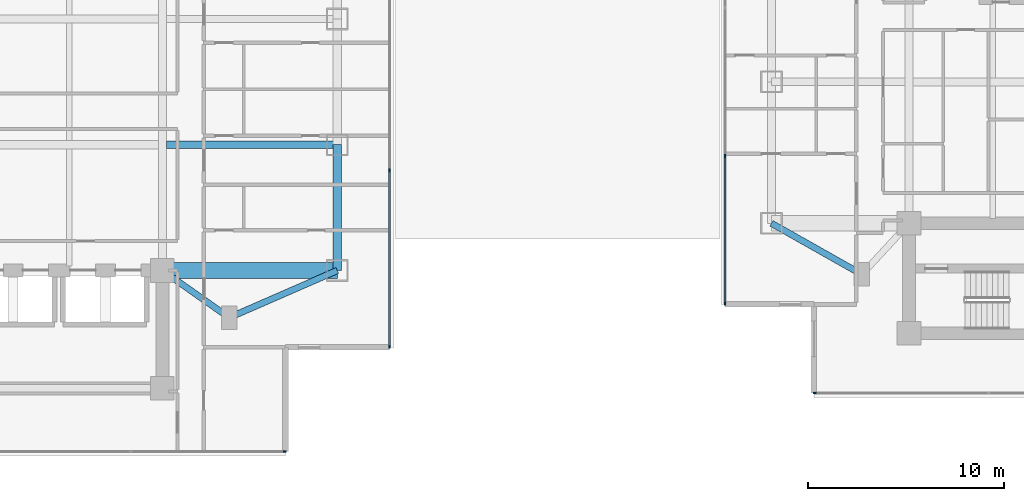
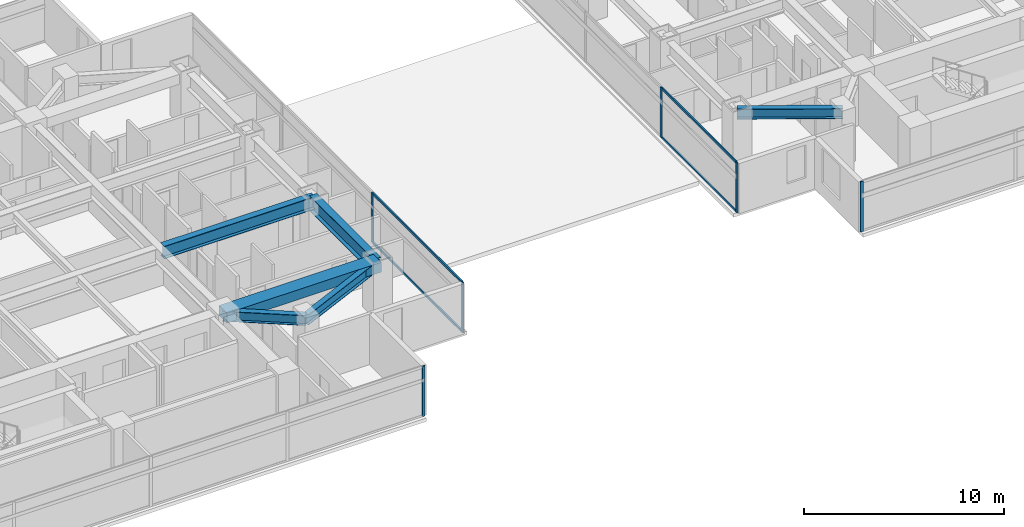
# One storey, part 4 of 26: 10 members, 6 beams, 4 elements without a shape of their own.
"""IFC4 building model written with IfcOpenShell, lengths in metres."""

from ifc_helpers import new_model, si_unit, direction, frame, origin, origin_2d, place, context, subcontext, project, spatial, rectangle, i_section, extrude, material, material_profile, profile_set, type_object, element, aggregate, save


model = new_model("IFC4")

# Units and contexts
model_context = context("Model", 3, precision=1e-05, world=origin(), true_north=direction((0.0, 1.0)))
body_context = subcontext(model_context, "Body", "Model", "MODEL_VIEW")
ifc_project = project(units=[si_unit("LENGTHUNIT", "METRE"), si_unit("AREAUNIT", "SQUARE_METRE"), si_unit("VOLUMEUNIT", "CUBIC_METRE"), si_unit("PLANEANGLEUNIT", "RADIAN"), si_unit("MASSUNIT", "GRAM", prefix="KILO")], contexts=[model_context])

# Site, building, storey
site_placement = place(None, origin())
site = spatial("IfcSite", under=ifc_project, at=site_placement, CompositionType="ELEMENT")
building_placement = place(site_placement, origin())
building = spatial("IfcBuilding", under=site, at=building_placement, Name="Mirazonda Arch Towers", CompositionType="ELEMENT")
storey_placement = place(building_placement, frame((0.0, 0.0, 98.300048828125)))
storey = spatial("IfcBuildingStorey", under=building, at=storey_placement, Name="L27", CompositionType="ELEMENT", Elevation=98.300048828125)

# Beams
ifc_material_1 = material(Name="Steel ASTM A992 Grade 50", Category="steel")
ifc_material_profile_1 = material_profile(ifc_material_1, i_section(OverallWidth=0.41796875, OverallDepth=0.927001953125, WebThickness=0.019287109375, FlangeThickness=0.031982421875, at=origin_2d()), Name="W36X231")
ifc_profile_set_1 = profile_set([ifc_material_profile_1], Name="Steel ASTM A992 Grade 50")
beam_type_1 = type_object("IfcBeamType", Name="BM-EXT-W36X231", PredefinedType="USERDEFINED", material=ifc_profile_set_1)
beam_1_placement = place(storey_placement, frame((38.89990234375, 18.39990234375, 2.616455078125), z_axis=(0.0, 1.0, 0.0), x_axis=(-1.0, 0.0, 0.0)))
element("IfcBeam", 1, at=beam_1_placement, inside=storey, type_object=beam_type_1, Name="L27 Floor Beam BM-T1-L27-NS-E-18", ObjectType="GIRDER", PredefinedType="USERDEFINED", context=body_context, shape_type="SweptSolid", body=[
    extrude(i_section(OverallWidth=0.41796875, OverallDepth=0.927001953125, WebThickness=0.019287109375, FlangeThickness=0.031982421875, at=origin_2d()), origin(), (0.0, 0.0, 1.0), 6.400146484375),
])
ifc_material_profile_2 = material_profile(ifc_material_1, i_section(OverallWidth=0.324951171875, OverallDepth=0.615966796875, WebThickness=0.013916015625, FlangeThickness=0.021484375, at=origin_2d()), Name="W24X117")
ifc_profile_set_2 = profile_set([ifc_material_profile_2], Name="Steel ASTM A992 Grade 50")
beam_type_2 = type_object("IfcBeamType", Name="BM-INT-W24X117", PredefinedType="BEAM", material=ifc_profile_set_2)
beam_2_placement = place(storey_placement, frame((33.39990234375, 16.0, 2.77197265625), z_axis=(-0.816971114901, 0.576678591087, 0.0), x_axis=(-0.576678591087, -0.816971114901, 0.0)))
element("IfcBeam", 2, at=beam_2_placement, inside=storey, type_object=beam_type_2, Name="L27 Floor Beam BM-T1-L27-PL-SE1", PredefinedType="BEAM", context=body_context, shape_type="SweptSolid", body=[
    extrude(i_section(OverallWidth=0.324951171875, OverallDepth=0.615966796875, WebThickness=0.013916015625, FlangeThickness=0.021484375, at=origin_2d()), origin(), (0.0, 0.0, 1.0), 4.16162109375),
])
beam_3_placement = place(storey_placement, frame((33.39990234375, 16.0, 2.77197265625), z_axis=(0.916545343703, 0.399930785183, 0.0), x_axis=(-0.399930785183, 0.916545343703, 0.0)))
element("IfcBeam", 3, at=beam_3_placement, inside=storey, type_object=beam_type_2, Name="L27 Floor Beam BM-T1-L27-PL-SE2", PredefinedType="BEAM", context=body_context, shape_type="SweptSolid", body=[
    extrude(i_section(OverallWidth=0.324951171875, OverallDepth=0.615966796875, WebThickness=0.013916015625, FlangeThickness=0.021484375, at=origin_2d()), origin(), (0.0, 0.0, 1.0), 6.000732421875),
])
beam_4_placement = place(storey_placement, frame((65.60009765625, 18.199951171875, 2.77197265625), z_axis=(-0.870559396632, 0.492063346467, 0.0), x_axis=(-0.492063346467, -0.870559396632, 0.0)))
element("IfcBeam", 4, at=beam_4_placement, inside=storey, type_object=beam_type_2, Name="L27 Floor Beam BM-T2-L27-PL-SW2", PredefinedType="BEAM", context=body_context, shape_type="SweptSolid", body=[
    extrude(i_section(OverallWidth=0.324951171875, OverallDepth=0.615966796875, WebThickness=0.013916015625, FlangeThickness=0.021484375, at=origin_2d()), origin(), (0.0, 0.0, 1.0), 5.2841796875),
])
ifc_material_profile_3 = material_profile(ifc_material_1, i_section(OverallWidth=0.381103515625, OverallDepth=0.77294921875, WebThickness=0.0166015625, FlangeThickness=0.027099609375, at=origin_2d()), Name="W30X173")
ifc_profile_set_3 = profile_set([ifc_material_profile_3], Name="Steel ASTM A992 Grade 50")
beam_type_3 = type_object("IfcBeamType", Name="BM-INT-W30X173", PredefinedType="USERDEFINED", material=ifc_profile_set_3)
beam_5_placement = place(storey_placement, frame((30.21142578125, 24.800048828125, 2.693359375), z_axis=(1.0, 0.0, 0.0), x_axis=(0.0, 1.0, 0.0)))
element("IfcBeam", 5, at=beam_5_placement, inside=storey, type_object=beam_type_3, Name="L27 Floor Beam BM-T1-L27-GE2", ObjectType="GIRDER", PredefinedType="USERDEFINED", context=body_context, shape_type="SweptSolid", body=[
    extrude(i_section(OverallWidth=0.381103515625, OverallDepth=0.77294921875, WebThickness=0.0166015625, FlangeThickness=0.027099609375, at=origin_2d()), origin(), (0.0, 0.0, 1.0), 8.6884765625),
])
ifc_material_2 = material(Name="Concrete C60/75", Category="concrete")
ifc_material_profile_4 = material_profile(ifc_material_2, rectangle(XDim=0.800048828125, YDim=0.60009765625, at=origin_2d()), Name="RCCB800x600")
ifc_profile_set_4 = profile_set([ifc_material_profile_4], Name="Concrete C60/75")
beam_type_4 = type_object("IfcBeamType", Name="CB-INT-RCCB800x600", PredefinedType="SPANDREL", material=ifc_profile_set_4)
beam_6_placement = place(storey_placement, frame((30.0, 18.39990234375, 2.780029296875), z_axis=(1.0, 0.0, 0.0), x_axis=(0.0, 1.0, 0.0)))
element("IfcBeam", 6, at=beam_6_placement, inside=storey, type_object=beam_type_4, Name="L27 Floor Beam CBC-T1-L27-SE", PredefinedType="SPANDREL", context=body_context, shape_type="SweptSolid", body=[
    extrude(rectangle(XDim=0.800048828125, YDim=0.60009765625, at=origin_2d()), origin(), (0.0, 0.0, 1.0), 8.89990234375),
])

# Curtain wall, member
ifc_material_3 = material(Name="Anodised Aluminium and Low-E Glass", Category="aluminium")
curtain_wall_type = type_object("IfcCurtainWallType", Name="CW-HTL-UNIT", PredefinedType="NOTDEFINED", material=ifc_material_3)
curtain_wall_1_placement = place(storey_placement, origin())
curtain_wall_1 = element("IfcCurtainWall", 7, at=curtain_wall_1_placement, inside=storey, type_object=curtain_wall_type, Name="L27 T1 S Facade CW-L27-T1-S", PredefinedType="NOTDEFINED")
ifc_material_4 = material(Name="Anodised Aluminium Alloy", Category="aluminium")
ifc_material_profile_5 = material_profile(ifc_material_4, rectangle(XDim=0.074951171875, YDim=0.1650390625, at=origin_2d()), Name="ALU-MULL-75x165")
ifc_profile_set_5 = profile_set([ifc_material_profile_5], Name="Anodised Aluminium Alloy")
member_type_1 = type_object("IfcMemberType", Name="MULL-CW-HTL-UNIT", PredefinedType="MULLION", material=ifc_profile_set_5)
member_1_placement = place(storey_placement, frame((36.2275390625, 9.176025390625, 0.0), z_axis=(0.0, 0.0, 1.0), x_axis=(0.0, -1.0, 0.0)))
member_1 = element("IfcMember", 8, at=member_1_placement, type_object=member_type_1, Name="CW-112 mullion 1", PredefinedType="MULLION", context=body_context, shape_type="SweptSolid", body=[
    extrude(rectangle(XDim=0.074951171875, YDim=0.1650390625, at=origin_2d()), origin(), (0.0, 0.0, 1.0), 3.06005859375),
])
aggregate(curtain_wall_1, [member_1])

# Curtain wall, members
curtain_wall_2_placement = place(storey_placement, origin())
curtain_wall_2 = element("IfcCurtainWall", 9, at=curtain_wall_2_placement, inside=storey, type_object=curtain_wall_type, Name="L27 T1 E Facade CW-L27-T1-E", PredefinedType="NOTDEFINED")
member_2_placement = place(storey_placement, frame((41.570068359375, 14.5185546875, 0.0), z_axis=(0.0, 0.0, 1.0), x_axis=(-1.0, 0.0, 0.0)))
member_2 = element("IfcMember", 10, at=member_2_placement, type_object=member_type_1, Name="CW-112 mullion 1", PredefinedType="MULLION", context=body_context, shape_type="SweptSolid", body=[
    extrude(rectangle(XDim=0.074951171875, YDim=0.1650390625, at=origin_2d()), origin(), (0.0, 0.0, 1.0), 3.06005859375),
])
member_3_placement = place(storey_placement, frame((41.570068359375, 23.49365234375, 0.0), z_axis=(0.0, 0.0, 1.0), x_axis=(-1.0, 0.0, 0.0)))
member_3 = element("IfcMember", 11, at=member_3_placement, type_object=member_type_1, Name="CW-112 mullion 2", PredefinedType="MULLION", context=body_context, shape_type="SweptSolid", body=[
    extrude(rectangle(XDim=0.074951171875, YDim=0.1650390625, at=origin_2d()), origin(), (0.0, 0.0, 1.0), 3.06005859375),
])

# Curtain wall, member
curtain_wall_3_placement = place(storey_placement, origin())
curtain_wall_3 = element("IfcCurtainWall", 12, at=curtain_wall_3_placement, inside=storey, type_object=curtain_wall_type, Name="L27 T2 S Facade CW-L27-T2-S", PredefinedType="NOTDEFINED")
member_4_placement = place(storey_placement, frame((63.197265625, 12.152587890625, 0.0), z_axis=(0.0, 0.0, 1.0), x_axis=(0.0, -1.0, 0.0)))
member_4 = element("IfcMember", 13, at=member_4_placement, type_object=member_type_1, Name="CW-112 mullion 4", PredefinedType="MULLION", context=body_context, shape_type="SweptSolid", body=[
    extrude(rectangle(XDim=0.074951171875, YDim=0.1650390625, at=origin_2d()), origin(), (0.0, 0.0, 1.0), 3.06005859375),
])
aggregate(curtain_wall_3, [member_4])

# Curtain wall, members
curtain_wall_4_placement = place(storey_placement, origin())
curtain_wall_4 = element("IfcCurtainWall", 14, at=curtain_wall_4_placement, inside=storey, type_object=curtain_wall_type, Name="L27 T2 W Facade CW-L27-T2-W", PredefinedType="NOTDEFINED")
member_5_placement = place(storey_placement, frame((58.6435546875, 24.222900390625, 0.0), z_axis=(0.0, 0.0, 1.0), x_axis=(1.0, 0.0, 0.0)))
member_5 = element("IfcMember", 15, at=member_5_placement, type_object=member_type_1, Name="CW-112 mullion 3", PredefinedType="MULLION", context=body_context, shape_type="SweptSolid", body=[
    extrude(rectangle(XDim=0.074951171875, YDim=0.1650390625, at=origin_2d()), origin(), (0.0, 0.0, 1.0), 3.06005859375),
])
member_6_placement = place(storey_placement, frame((58.6435546875, 16.706298828125, 0.0), z_axis=(0.0, 0.0, 1.0), x_axis=(1.0, 0.0, 0.0)))
member_6 = element("IfcMember", 16, at=member_6_placement, type_object=member_type_1, Name="CW-112 mullion 4", PredefinedType="MULLION", context=body_context, shape_type="SweptSolid", body=[
    extrude(rectangle(XDim=0.074951171875, YDim=0.1650390625, at=origin_2d()), origin(), (0.0, 0.0, 1.0), 3.06005859375),
])

# Member
ifc_material_profile_6 = material_profile(ifc_material_4, rectangle(XDim=0.074951171875, YDim=0.14501953125, at=origin_2d()), Name="ALU-TRAN-75x145")
ifc_profile_set_6 = profile_set([ifc_material_profile_6], Name="Anodised Aluminium Alloy")
member_type_2 = type_object("IfcMemberType", Name="TRAN-CW-HTL-UNIT", PredefinedType="USERDEFINED", material=ifc_profile_set_6)
member_7_placement = place(storey_placement, frame((41.570068359375, 14.555908203125, 0.037353515625), z_axis=(0.0, 1.0, 0.0), x_axis=(-1.0, 0.0, 0.0)))
member_7 = element("IfcMember", 17, at=member_7_placement, type_object=member_type_2, Name="CW-112 transom 1.1", ObjectType="TRANSOM", PredefinedType="USERDEFINED", context=body_context, shape_type="SweptSolid", body=[
    extrude(rectangle(XDim=0.074951171875, YDim=0.14501953125, at=origin_2d()), origin(), (0.0, 0.0, 1.0), 8.900146484375),
])

member_8_placement = place(storey_placement, frame((41.570068359375, 14.555908203125, 3.0224609375), z_axis=(0.0, 1.0, 0.0), x_axis=(-1.0, 0.0, 0.0)))
member_8 = element("IfcMember", 18, at=member_8_placement, type_object=member_type_2, Name="CW-112 transom 1.2", ObjectType="TRANSOM", PredefinedType="USERDEFINED", context=body_context, shape_type="SweptSolid", body=[
    extrude(rectangle(XDim=0.074951171875, YDim=0.14501953125, at=origin_2d()), origin(), (0.0, 0.0, 1.0), 8.900146484375),
])

aggregate(curtain_wall_2, [member_2, member_3, member_7, member_8])

member_9_placement = place(storey_placement, frame((58.6435546875, 24.185546875, 0.037353515625), z_axis=(0.0, -1.0, 0.0), x_axis=(1.0, 0.0, 0.0)))
member_9 = element("IfcMember", 19, at=member_9_placement, type_object=member_type_2, Name="CW-112 transom 3.1", ObjectType="TRANSOM", PredefinedType="USERDEFINED", context=body_context, shape_type="SweptSolid", body=[
    extrude(rectangle(XDim=0.074951171875, YDim=0.14501953125, at=origin_2d()), origin(), (0.0, 0.0, 1.0), 7.441650390625),
])

member_10_placement = place(storey_placement, frame((58.6435546875, 24.185546875, 3.0224609375), z_axis=(0.0, -1.0, 0.0), x_axis=(1.0, 0.0, 0.0)))
member_10 = element("IfcMember", 20, at=member_10_placement, type_object=member_type_2, Name="CW-112 transom 3.2", ObjectType="TRANSOM", PredefinedType="USERDEFINED", context=body_context, shape_type="SweptSolid", body=[
    extrude(rectangle(XDim=0.074951171875, YDim=0.14501953125, at=origin_2d()), origin(), (0.0, 0.0, 1.0), 7.441650390625),
])

aggregate(curtain_wall_4, [member_5, member_6, member_9, member_10])

save(model, "model.ifc")
